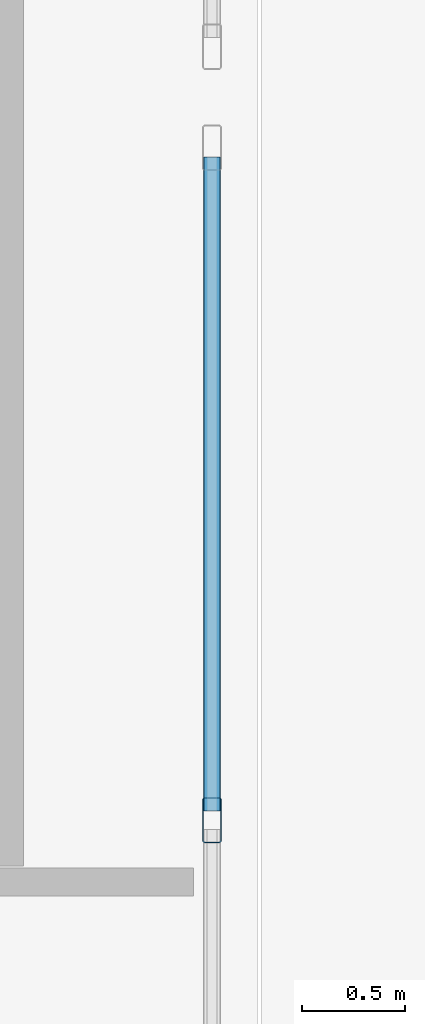
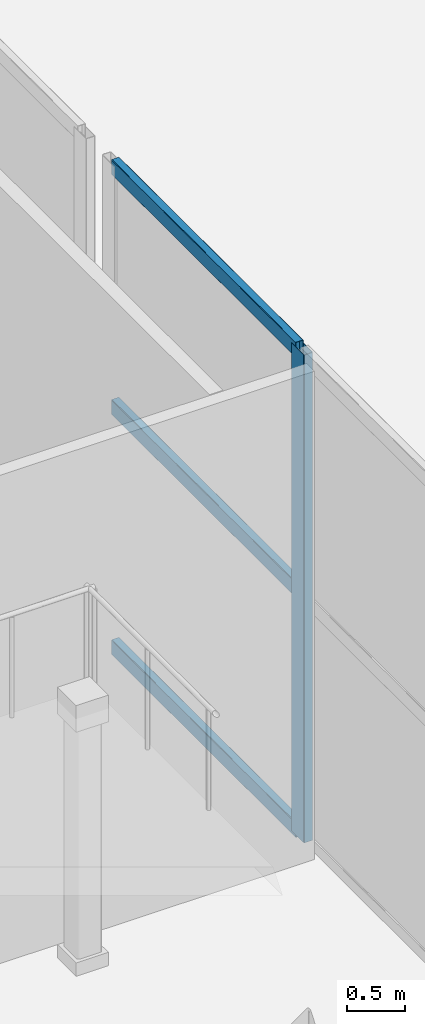
# One storey, part 15 of 98: 4 members, 1 element without a shape of its own.
"""IFC4 building model written with IfcOpenShell, lengths in metres."""

from ifc_helpers import new_model, si_unit, direction, frame, origin, origin_2d, place, context, subcontext, project, spatial, hollow_rectangle, extrude, material, layer, layer_set, material_profile, profile_set, type_object, element, aggregate, save


model = new_model("IFC4")

# Units and contexts
model_context = context("Model", 3, precision=1e-05, world=origin(), true_north=direction((0.0, 1.0)))
body_context = subcontext(model_context, "Body", "Model", "MODEL_VIEW")
ifc_project = project(units=[si_unit("LENGTHUNIT", "METRE"), si_unit("AREAUNIT", "SQUARE_METRE"), si_unit("VOLUMEUNIT", "CUBIC_METRE"), si_unit("PLANEANGLEUNIT", "RADIAN"), si_unit("MASSUNIT", "GRAM", prefix="KILO")], contexts=[model_context])

# Site, building, storey
site_placement = place(None, origin())
site = spatial("IfcSite", under=ifc_project, at=site_placement, CompositionType="ELEMENT")
building_placement = place(site_placement, origin())
building = spatial("IfcBuilding", under=site, at=building_placement, Name="Tarnavel Promenade Courthouse", CompositionType="ELEMENT")
storey_placement = place(building_placement, origin())
storey = spatial("IfcBuildingStorey", under=building, at=storey_placement, Name="L01", CompositionType="ELEMENT", Elevation=0.0)

# Curtain wall, members
ifc_material_1 = material(Name="Thermally Broken Anodised Aluminium Curtain Wall System", Category="aluminium")
ifc_layer = layer(ifc_material_1, 0.219970703125)
ifc_layer_set = layer_set([ifc_layer], Name="Thermally Broken Anodised Aluminium Curtain Wall System")
curtain_wall_type = type_object("IfcCurtainWallType", Name="Thermally Broken Aluminium Triple-Glazed Curtain Wall CW-DRUM", PredefinedType="NOTDEFINED", material=ifc_layer_set)
curtain_wall_placement = place(storey_placement, origin())
curtain_wall = element("IfcCurtainWall", 1, at=curtain_wall_placement, inside=storey, type_object=curtain_wall_type, Name="L01 Public Drum East Return Curtain Wall 010", PredefinedType="NOTDEFINED")
ifc_material_2 = material(Name="Thermally Broken Anodised Aluminium Frame", Category="aluminium")
ifc_material_profile_1 = material_profile(ifc_material_2, hollow_rectangle(XDim=0.090087890625, YDim=0.219970703125, WallThickness=0.0048828125, InnerFilletRadius=0.0048828125, OuterFilletRadius=0.010009765625, at=origin_2d()), Name="CWM 220x90x5")
ifc_profile_set_1 = profile_set([ifc_material_profile_1], Name="Thermally Broken Anodised Aluminium Frame")
member_type_1 = type_object("IfcMemberType", Name="Thermally Broken Anodised Aluminium CWM-175 (CWM 220x90x5)", PredefinedType="MULLION", material=ifc_profile_set_1)
member_1_placement = place(storey_placement, frame((54.97998046875, 24.699951171875, 0.0), z_axis=(0.0, 0.0, 1.0), x_axis=(-1.0, 0.0, 0.0)))
member_1 = element("IfcMember", 2, at=member_1_placement, type_object=member_type_1, Name="CW-01 mullion 2", PredefinedType="MULLION", context=body_context, shape_type="SweptSolid", body=[
    extrude(hollow_rectangle(XDim=0.090087890625, YDim=0.219970703125, WallThickness=0.0048828125, InnerFilletRadius=0.0048828125, OuterFilletRadius=0.010009765625, at=origin_2d()), origin(), (0.0, 0.0, 1.0), 5.1201171875),
])
ifc_material_profile_2 = material_profile(ifc_material_2, hollow_rectangle(XDim=0.080078125, YDim=0.159912109375, WallThickness=0.0048828125, InnerFilletRadius=0.0048828125, OuterFilletRadius=0.010009765625, at=origin_2d()), Name="CWT 160x80x5")
ifc_profile_set_2 = profile_set([ifc_material_profile_2], Name="Thermally Broken Anodised Aluminium Frame")
member_type_2 = type_object("IfcMemberType", Name="Thermally Broken Anodised Aluminium CWT-145 (CWT 160x80x5)", PredefinedType="USERDEFINED", material=ifc_profile_set_2)
member_2_placement = place(storey_placement, frame((54.97998046875, 24.7451171875, 0.0400390625), z_axis=(0.0, 1.0, 0.0), x_axis=(-1.0, 0.0, 0.0)))
member_2 = element("IfcMember", 3, at=member_2_placement, type_object=member_type_2, Name="CW-01 transom 2.1", ObjectType="TRANSOM", PredefinedType="USERDEFINED", context=body_context, shape_type="SweptSolid", body=[
    extrude(hollow_rectangle(XDim=0.080078125, YDim=0.159912109375, WallThickness=0.0048828125, InnerFilletRadius=0.0048828125, OuterFilletRadius=0.010009765625, at=origin_2d()), origin(), (0.0, 0.0, 1.0), 3.164794921875),
])
member_3_placement = place(storey_placement, frame((54.97998046875, 24.7451171875, 2.56005859375), z_axis=(0.0, 1.0, 0.0), x_axis=(-1.0, 0.0, 0.0)))
member_3 = element("IfcMember", 4, at=member_3_placement, type_object=member_type_2, Name="CW-01 transom 2.2", ObjectType="TRANSOM", PredefinedType="USERDEFINED", context=body_context, shape_type="SweptSolid", body=[
    extrude(hollow_rectangle(XDim=0.080078125, YDim=0.159912109375, WallThickness=0.0048828125, InnerFilletRadius=0.0048828125, OuterFilletRadius=0.010009765625, at=origin_2d()), origin(), (0.0, 0.0, 1.0), 3.164794921875),
])
member_4_placement = place(storey_placement, frame((54.97998046875, 24.7451171875, 5.080078125), z_axis=(0.0, 1.0, 0.0), x_axis=(-1.0, 0.0, 0.0)))
member_4 = element("IfcMember", 5, at=member_4_placement, type_object=member_type_2, Name="CW-01 transom 2.3", ObjectType="TRANSOM", PredefinedType="USERDEFINED", context=body_context, shape_type="SweptSolid", body=[
    extrude(hollow_rectangle(XDim=0.080078125, YDim=0.159912109375, WallThickness=0.0048828125, InnerFilletRadius=0.0048828125, OuterFilletRadius=0.010009765625, at=origin_2d()), origin(), (0.0, 0.0, 1.0), 3.164794921875),
])
aggregate(curtain_wall, [member_1, member_2, member_3, member_4])

save(model, "model.ifc")
